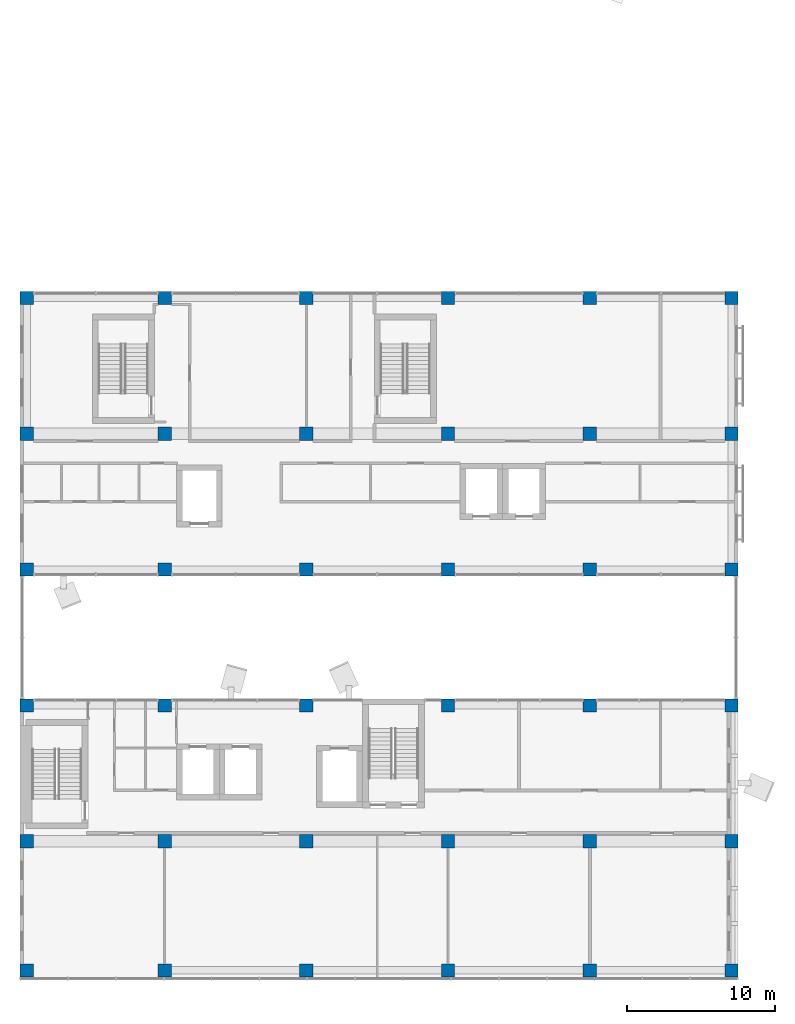
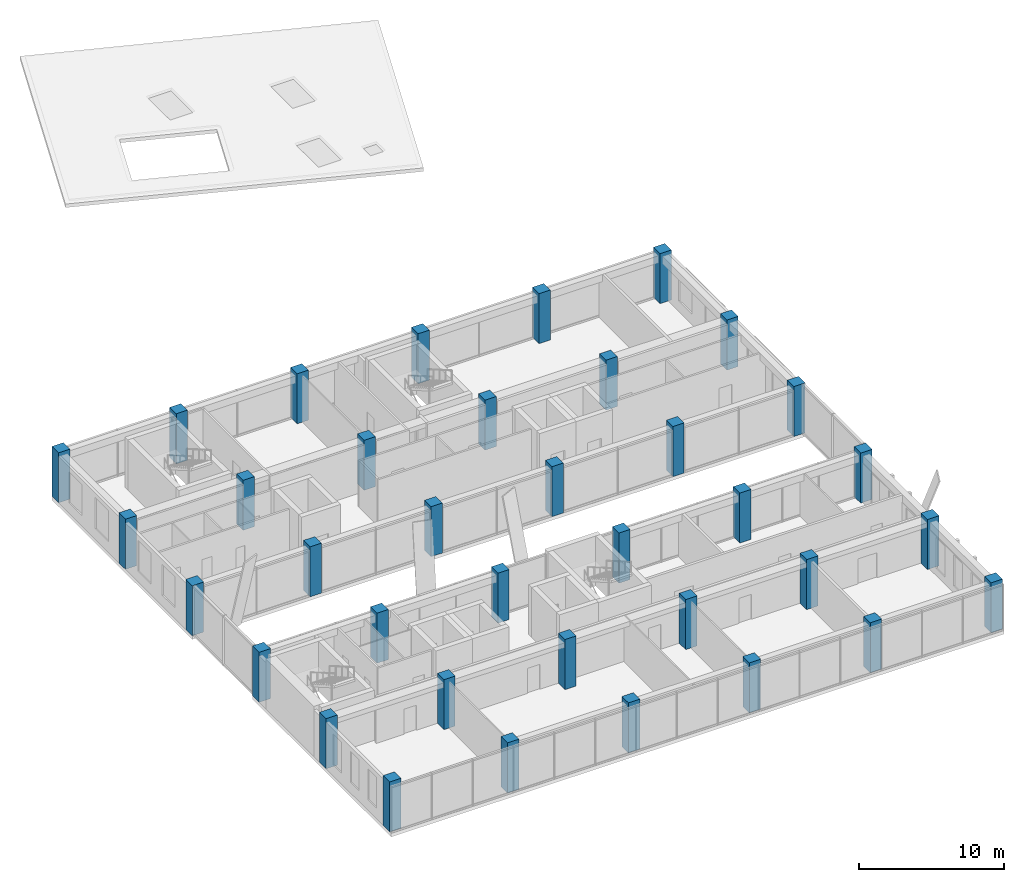
# One storey, part 1 of 36: 36 columns.
"""IFC4 building model written with IfcOpenShell, lengths in metres."""

from ifc_helpers import new_model, si_unit, direction, frame, origin, origin_2d, place, context, subcontext, project, spatial, rectangle, extrude, material, material_profile, profile_set, type_object, element, save


model = new_model("IFC4")

# Units and contexts
model_context = context("Model", 3, precision=1e-05, world=origin(), true_north=direction((0.0, 1.0)))
body_context = subcontext(model_context, "Body", "Model", "MODEL_VIEW")
ifc_project = project(units=[si_unit("LENGTHUNIT", "METRE"), si_unit("AREAUNIT", "SQUARE_METRE"), si_unit("VOLUMEUNIT", "CUBIC_METRE"), si_unit("PLANEANGLEUNIT", "RADIAN"), si_unit("MASSUNIT", "GRAM", prefix="KILO")], contexts=[model_context])

# Site, building, storey
site_placement = place(None, origin())
site = spatial("IfcSite", under=ifc_project, at=site_placement, CompositionType="ELEMENT")
building_placement = place(site_placement, origin())
building = spatial("IfcBuilding", under=site, at=building_placement, Name="Nzadi Deep Aquarium and Research Tower", CompositionType="ELEMENT")
storey_placement = place(building_placement, frame((0.0, 0.0, 44.5)))
storey = spatial("IfcBuildingStorey", under=building, at=storey_placement, Name="L08", CompositionType="ELEMENT", Elevation=44.5)

# Columns
ifc_material = material(Name="Concrete C40/50", Category="concrete")
ifc_material_profile = material_profile(ifc_material, rectangle(XDim=0.89990234375, YDim=0.89990234375, at=origin_2d()))
ifc_profile_set = profile_set([ifc_material_profile], Name="Concrete C40/50")
column_type = type_object("IfcColumnType", Name="RC 900x900", PredefinedType="COLUMN", material=ifc_profile_set)
for number, where, z_axis, x_axis, name in (
    (1, (0.25048828125, 0.449951171875, 0.0), (0.0, 0.0, 1.0), (1.0, 0.0, 0.0), "C-Z1-L08-A1"),
    (2, (9.60009765625, 0.449951171875, 0.0), (0.0, 0.0, 1.0), (1.0, 0.0, 0.0), "C-Z1-L08-B1"),
    (3, (19.199951171875, 0.449951171875, 0.0), (0.0, 0.0, 1.0), (1.0, 0.0, 0.0), "C-Z1-L08-C1"),
    (4, (28.800048828125, 0.449951171875, 0.0), (0.0, 0.0, 1.0), (1.0, 0.0, 0.0), "C-Z1-L08-D1"),
    (5, (38.39990234375, 0.449951171875, 0.0), (0.0, 0.0, 1.0), (1.0, 0.0, 0.0), "C-Z1-L08-E1"),
    (6, (48.0, 0.449951171875, 0.0), (0.0, 0.0, 1.0), (1.0, 0.0, 0.0), "C-Z1-L08-F1"),
    (7, (0.25048828125, 9.199951171875, 0.0), (0.0, 0.0, 1.0), (1.0, 0.0, 0.0), "C-Z1-L08-A2"),
    (8, (9.60009765625, 9.199951171875, 0.0), (0.0, 0.0, 1.0), (1.0, 0.0, 0.0), "C-Z1-L08-B2"),
    (9, (19.199951171875, 9.199951171875, 0.0), (0.0, 0.0, 1.0), (1.0, 0.0, 0.0), "C-Z1-L08-C2"),
    (10, (28.800048828125, 9.199951171875, 0.0), (0.0, 0.0, 1.0), (1.0, 0.0, 0.0), "C-Z1-L08-D2"),
    (11, (38.39990234375, 9.199951171875, 0.0), (0.0, 0.0, 1.0), (1.0, 0.0, 0.0), "C-Z1-L08-E2"),
    (12, (48.0, 9.199951171875, 0.0), (0.0, 0.0, 1.0), (1.0, 0.0, 0.0), "C-Z1-L08-F2"),
    (13, (0.25048828125, 18.39990234375, 0.0), (0.0, 0.0, 1.0), (1.0, 0.0, 0.0), "C-Z1-L08-A3"),
    (14, (9.60009765625, 18.39990234375, 0.0), (0.0, 0.0, 1.0), (1.0, 0.0, 0.0), "C-Z1-L08-B3"),
    (15, (19.199951171875, 18.39990234375, 0.0), (0.0, 0.0, 1.0), (1.0, 0.0, 0.0), "C-Z1-L08-C3"),
    (16, (28.800048828125, 18.39990234375, 0.0), (0.0, 0.0, 1.0), (1.0, 0.0, 0.0), "C-Z1-L08-D3"),
    (17, (38.39990234375, 18.39990234375, 0.0), (0.0, 0.0, 1.0), (1.0, 0.0, 0.0), "C-Z1-L08-E3"),
    (18, (48.0, 18.39990234375, 0.0), (0.0, 0.0, 1.0), (1.0, 0.0, 0.0), "C-Z1-L08-F3"),
    (19, (0.25048828125, 27.60009765625, 0.0), (0.0, 0.0, 1.0), (1.0, 0.0, 0.0), "C-Z1-L08-A4"),
    (20, (9.60009765625, 27.60009765625, 0.0), (0.0, 0.0, 1.0), (1.0, 0.0, 0.0), "C-Z1-L08-B4"),
    (21, (19.199951171875, 27.60009765625, 0.0), (0.0, 0.0, 1.0), (1.0, 0.0, 0.0), "C-Z1-L08-C4"),
    (22, (28.800048828125, 27.60009765625, 0.0), (0.0, 0.0, 1.0), (1.0, 0.0, 0.0), "C-Z1-L08-D4"),
    (23, (38.39990234375, 27.60009765625, 0.0), (0.0, 0.0, 1.0), (1.0, 0.0, 0.0), "C-Z1-L08-E4"),
    (24, (48.0, 27.60009765625, 0.0), (0.0, 0.0, 1.0), (1.0, 0.0, 0.0), "C-Z1-L08-F4"),
    (25, (0.25048828125, 36.800048828125, 0.0), (0.0, 0.0, 1.0), (1.0, 0.0, 0.0), "C-Z1-L08-A5"),
    (26, (9.60009765625, 36.800048828125, 0.0), (0.0, 0.0, 1.0), (1.0, 0.0, 0.0), "C-Z1-L08-B5"),
    (27, (19.199951171875, 36.800048828125, 0.0), (0.0, 0.0, 1.0), (1.0, 0.0, 0.0), "C-Z1-L08-C5"),
    (28, (28.800048828125, 36.800048828125, 0.0), (0.0, 0.0, 1.0), (1.0, 0.0, 0.0), "C-Z1-L08-D5"),
    (29, (38.39990234375, 36.800048828125, 0.0), (0.0, 0.0, 1.0), (1.0, 0.0, 0.0), "C-Z1-L08-E5"),
    (30, (48.0, 36.800048828125, 0.0), (0.0, 0.0, 1.0), (1.0, 0.0, 0.0), "C-Z1-L08-F5"),
    (31, (0.25048828125, 46.0, 0.0), (0.0, 0.0, 1.0), (1.0, 0.0, 0.0), "C-Z1-L08-A6"),
    (32, (9.60009765625, 46.0, 0.0), (0.0, 0.0, 1.0), (1.0, 0.0, 0.0), "C-Z1-L08-B6"),
    (33, (19.199951171875, 46.0, 0.0), (0.0, 0.0, 1.0), (1.0, 0.0, 0.0), "C-Z1-L08-C6"),
    (34, (28.800048828125, 46.0, 0.0), (0.0, 0.0, 1.0), (1.0, 0.0, 0.0), "C-Z1-L08-D6"),
    (35, (38.39990234375, 46.0, 0.0), (0.0, 0.0, 1.0), (1.0, 0.0, 0.0), "C-Z1-L08-E6"),
    (36, (48.0, 46.0, 0.0), (0.0, 0.0, 1.0), (1.0, 0.0, 0.0), "C-Z1-L08-F6"),
):
    element("IfcColumn", number, at=place(storey_placement, frame(where, z_axis=z_axis, x_axis=x_axis)), inside=storey, type_object=column_type, Name=name, PredefinedType="COLUMN", context=body_context, shape_type="SweptSolid", body=[
        extrude(rectangle(XDim=0.89990234375, YDim=0.89990234375, at=origin_2d()), origin(), (0.0, 0.0, 1.0), 4.199951171875),
    ])

save(model, "model.ifc")
